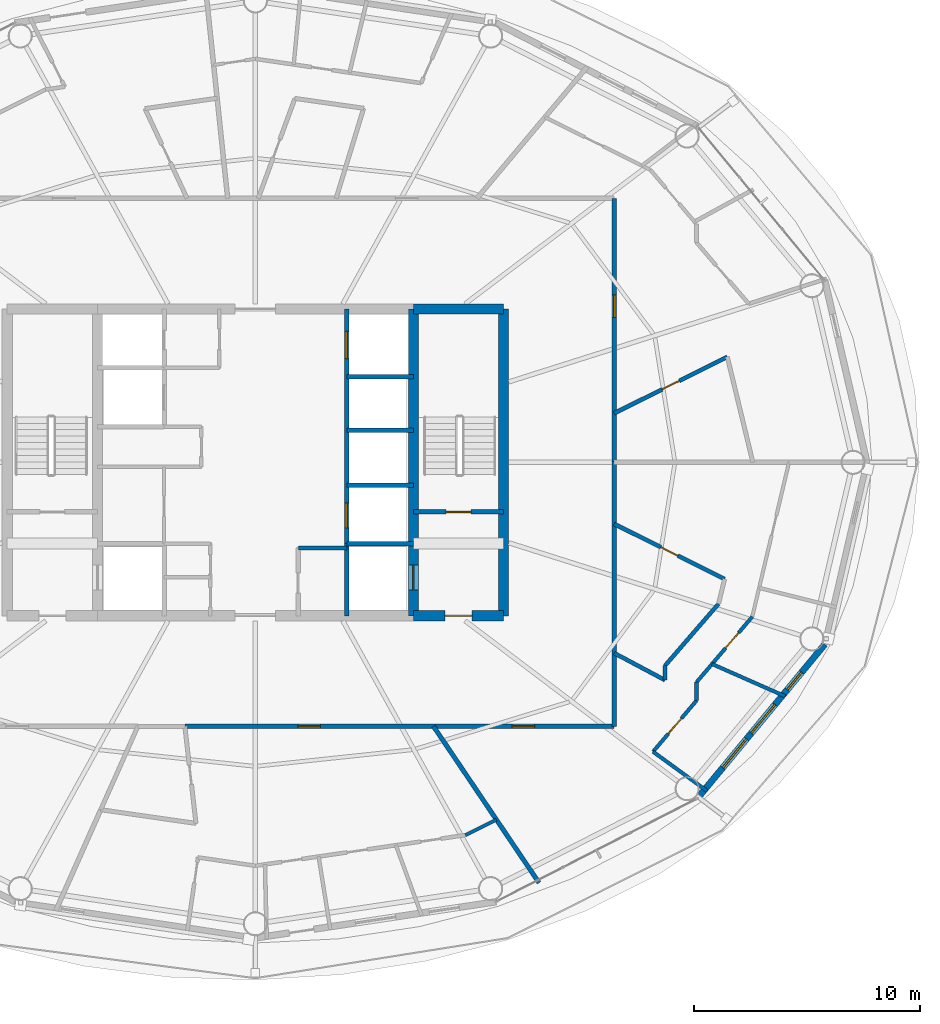
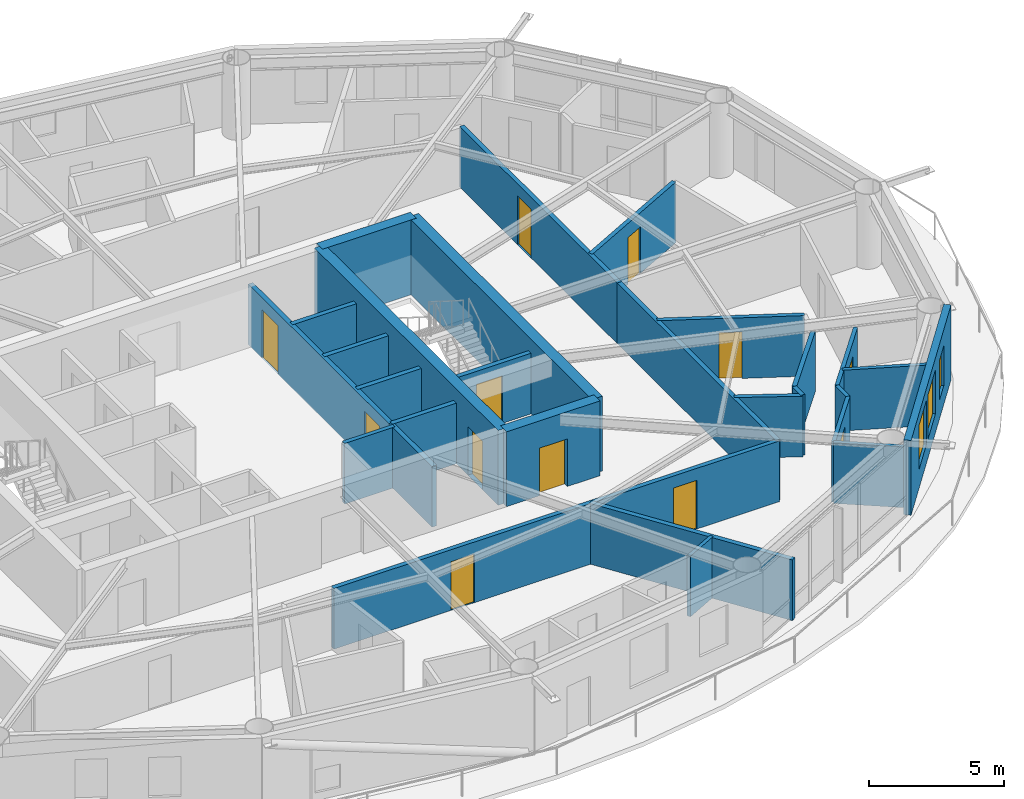
# One storey, part 22 of 28: 28 walls, 12 doors, 3 windows, 15 openings.
"""IFC4 building model written with IfcOpenShell, lengths in metres."""

from ifc_helpers import new_model, si_unit, direction, frame, frame_2d, origin, place, context, subcontext, project, spatial, rectangle, extrude, material, layer, layer_set, type_object, element, fill, save


model = new_model("IFC4")

# Units and contexts
model_context = context("Model", 3, precision=1e-05, world=origin(), true_north=direction((0.0, 1.0)))
body_context = subcontext(model_context, "Body", "Model", "MODEL_VIEW")
ifc_project = project(units=[si_unit("LENGTHUNIT", "METRE"), si_unit("AREAUNIT", "SQUARE_METRE"), si_unit("VOLUMEUNIT", "CUBIC_METRE"), si_unit("PLANEANGLEUNIT", "RADIAN"), si_unit("MASSUNIT", "GRAM", prefix="KILO")], contexts=[model_context])

# Site, building, storey
site_placement = place(None, origin())
site = spatial("IfcSite", under=ifc_project, at=site_placement, CompositionType="ELEMENT")
building_placement = place(site_placement, origin())
building = spatial("IfcBuilding", under=site, at=building_placement, Name="Sarneth Arch Tower", CompositionType="ELEMENT")
storey_placement = place(building_placement, frame((0.0, 0.0, 172.199951171875)))
storey = spatial("IfcBuildingStorey", under=building, at=storey_placement, Name="L43", CompositionType="ELEMENT", Elevation=172.199951171875)

# Wall, opening, door
ifc_material_1 = material(Name="Concrete C50/60", Category="concrete")
ifc_layer_1 = layer(ifc_material_1, 0.449951171875)
ifc_layer_set_1 = layer_set([ifc_layer_1], Name="Concrete C50/60")
wall_type_1 = type_object("IfcWallType", Name="WALL-CORE-450", PredefinedType="SHEAR", material=ifc_layer_set_1)
wall_1_placement = place(storey_placement, frame((55.0, 35.199951171875, 0.0), z_axis=(0.0, 0.0, 1.0), x_axis=(1.0, 0.0, 0.0)))
wall_1 = element("IfcWall", 1, at=wall_1_placement, inside=storey, type_object=wall_type_1, Name="L43 Core shear wall S-E", PredefinedType="SHEAR", context=body_context, shape_type="SweptSolid", body=[
    extrude(rectangle(XDim=4.0, YDim=0.449951171875, at=frame_2d((2.0, 0.0))), origin(), (0.0, 0.0, 1.0), 3.380126953125),
])
opening_1_placement = place(wall_1_placement, frame((1.39990234375, 0.0, 0.0)))
opening_1 = element("IfcOpeningElement", 2, at=opening_1_placement, cuts=wall_1, Name="Opening FD-02", PredefinedType="OPENING", context=body_context, shape_type="SweptSolid", body=[
    extrude(rectangle(XDim=1.199951171875, YDim=2.14990234375, at=frame_2d((0.60009765625, 1.074951171875))), frame((0.0, 0.23486328125, 0.0), z_axis=(0.0, -1.0, 0.0), x_axis=(1.0, 0.0, 0.0)), (0.0, 0.0, 1.0), 0.469970703125),
])
ifc_material_2 = material(Name="Galvanised Steel S275 fire door set", Category="steel")
door_type_1 = type_object("IfcDoorType", Name="DR-FD90-1200", OperationType="SINGLE_SWING_LEFT", PredefinedType="DOOR", material=ifc_material_2)
door_1_placement = place(opening_1_placement, origin())
door_1 = element("IfcDoor", 3, at=door_1_placement, inside=storey, type_object=door_type_1, Name="L43 Firefighting lobby 2 exit door", OperationType="SINGLE_SWING_RIGHT", OverallHeight=2.14990234375, OverallWidth=1.199951171875, PredefinedType="DOOR", context=body_context, shape_type="SweptSolid", body=[
    extrude(rectangle(XDim=1.199951171875, YDim=2.14990234375, at=frame_2d((0.60009765625, 1.074951171875))), frame((0.0, 0.02490234375, 0.0), z_axis=(0.0, -1.0, 0.0), x_axis=(1.0, 0.0, 0.0)), (0.0, 0.0, 1.0), 0.050048828125),
])
fill(opening_1, door_1)

# Walls
wall_2_placement = place(storey_placement, frame((55.0, 48.800048828125, 0.0), z_axis=(0.0, 0.0, 1.0), x_axis=(1.0, 0.0, 0.0)))
element("IfcWall", 4, at=wall_2_placement, inside=storey, type_object=wall_type_1, Name="L43 Core shear wall N-E", PredefinedType="SHEAR", context=body_context, shape_type="SweptSolid", body=[
    extrude(rectangle(XDim=4.0, YDim=0.449951171875, at=frame_2d((2.0, 0.0))), origin(), (0.0, 0.0, 1.0), 3.380126953125),
])
wall_3_placement = place(storey_placement, frame((59.0, 35.199951171875, 0.0), z_axis=(0.0, 0.0, 1.0), x_axis=(0.0, 1.0, 0.0)))
element("IfcWall", 5, at=wall_3_placement, inside=storey, type_object=wall_type_1, Name="L43 Core shear wall E", PredefinedType="SHEAR", context=body_context, shape_type="SweptSolid", body=[
    extrude(rectangle(XDim=13.60009765625, YDim=0.449951171875, at=frame_2d((6.800048828125, 0.0))), origin(), (0.0, 0.0, 1.0), 3.380126953125),
])

# Wall, opening, door
wall_4_placement = place(storey_placement, frame((55.0, 35.199951171875, 0.0), z_axis=(0.0, 0.0, 1.0), x_axis=(0.0, 1.0, 0.0)))
wall_4 = element("IfcWall", 6, at=wall_4_placement, inside=storey, type_object=wall_type_1, Name="L43 Core shear wall WEB-E", PredefinedType="SHEAR", context=body_context, shape_type="SweptSolid", body=[
    extrude(rectangle(XDim=13.60009765625, YDim=0.449951171875, at=frame_2d((6.800048828125, 0.0))), origin(), (0.0, 0.0, 1.0), 3.380126953125),
])
opening_2_placement = place(wall_4_placement, frame((1.14990234375, 0.0, 0.0)))
opening_2 = element("IfcOpeningElement", 7, at=opening_2_placement, cuts=wall_4, Name="Opening LD-1", PredefinedType="OPENING", context=body_context, shape_type="SweptSolid", body=[
    extrude(rectangle(XDim=1.10009765625, YDim=2.199951171875, at=frame_2d((0.550048828125, 1.10009765625))), frame((0.0, 0.23486328125, 0.0), z_axis=(0.0, -1.0, 0.0), x_axis=(1.0, 0.0, 0.0)), (0.0, 0.0, 1.0), 0.469970703125),
])
ifc_material_3 = material(Name="Brushed Stainless Steel 304 lift landing door", Category="steel")
door_type_2 = type_object("IfcDoorType", Name="DR-LIFT-SLIDE-1100", OperationType="SLIDING_TO_LEFT", PredefinedType="DOOR", material=ifc_material_3)
door_2_placement = place(opening_2_placement, origin())
door_2 = element("IfcDoor", 8, at=door_2_placement, inside=storey, type_object=door_type_2, Name="L43 Firefighting lift landing door FL-2", OperationType="SLIDING_TO_RIGHT", OverallHeight=2.199951171875, OverallWidth=1.10009765625, PredefinedType="DOOR", context=body_context, shape_type="SweptSolid", body=[
    extrude(rectangle(XDim=1.10009765625, YDim=2.199951171875, at=frame_2d((0.550048828125, 1.10009765625))), frame((0.0, 0.02490234375, 0.0), z_axis=(0.0, -1.0, 0.0), x_axis=(1.0, 0.0, 0.0)), (0.0, 0.0, 1.0), 0.050048828125),
])
fill(opening_2, door_2)

# Wall, openings, doors
ifc_material_4 = material(Name="Double steel-stud corridor fire wall", Category="steel")
ifc_layer_2 = layer(ifc_material_4, 0.18994140625)
ifc_layer_set_2 = layer_set([ifc_layer_2], Name="Double steel-stud corridor fire wall")
wall_type_2 = type_object("IfcWallType", Name="WALL-CORR-190", PredefinedType="PARTITIONING", material=ifc_layer_set_2)
wall_5_placement = place(storey_placement, frame((44.872802734375, 30.300048828125, 0.0), z_axis=(0.0, 0.0, 1.0), x_axis=(1.0, 0.0, 0.0)))
wall_5 = element("IfcWall", 9, at=wall_5_placement, inside=storey, type_object=wall_type_2, Name="L43 Interior partition W-L43-TP-015", PredefinedType="PARTITIONING", context=body_context, shape_type="SweptSolid", body=[
    extrude(rectangle(XDim=19.027099609375, YDim=0.18994140625, at=frame_2d((9.513671875, 0.0))), origin(), (0.0, 0.0, 1.0), 2.739990234375),
])
opening_3_placement = place(wall_5_placement, frame((5.009521484375, 0.0, 0.0)))
opening_3 = element("IfcOpeningElement", 10, at=opening_3_placement, cuts=wall_5, Name="Opening FD-08", PredefinedType="OPENING", context=body_context, shape_type="SweptSolid", body=[
    extrude(rectangle(XDim=1.0, YDim=2.199951171875, at=frame_2d((0.5, 1.10009765625))), frame((0.0, 0.10498046875, 0.0), z_axis=(0.0, -1.0, 0.0), x_axis=(1.0, 0.0, 0.0)), (0.0, 0.0, 1.0), 0.2099609375),
])
opening_4_placement = place(wall_5_placement, frame((14.503662109375, 0.0, 0.0)))
opening_4 = element("IfcOpeningElement", 11, at=opening_4_placement, cuts=wall_5, Name="Opening FD-08", PredefinedType="OPENING", context=body_context, shape_type="SweptSolid", body=[
    extrude(rectangle(XDim=1.0, YDim=2.199951171875, at=frame_2d((0.5, 1.10009765625))), frame((0.0, 0.10498046875, 0.0), z_axis=(0.0, -1.0, 0.0), x_axis=(1.0, 0.0, 0.0)), (0.0, 0.0, 1.0), 0.2099609375),
])
ifc_material_5 = material(Name="Hardwood timber acoustic fire door", Category="wood")
door_type_3 = type_object("IfcDoorType", Name="DR-FD60-1000", OperationType="SINGLE_SWING_LEFT", PredefinedType="DOOR", material=ifc_material_5)
door_3_placement = place(opening_3_placement, origin())
door_3 = element("IfcDoor", 12, at=door_3_placement, inside=storey, type_object=door_type_3, Name="L43 Interior door DR-L43-U6-ENT", OperationType="SINGLE_SWING_LEFT", OverallHeight=2.199951171875, OverallWidth=1.0, PredefinedType="DOOR", context=body_context, shape_type="SweptSolid", body=[
    extrude(rectangle(XDim=1.0, YDim=2.199951171875, at=frame_2d((0.5, 1.10009765625))), frame((0.0, 0.02490234375, 0.0), z_axis=(0.0, -1.0, 0.0), x_axis=(1.0, 0.0, 0.0)), (0.0, 0.0, 1.0), 0.050048828125),
])
fill(opening_3, door_3)
door_4_placement = place(opening_4_placement, origin())
door_4 = element("IfcDoor", 13, at=door_4_placement, inside=storey, type_object=door_type_3, Name="L43 Interior door DR-L43-U7-ENT", OperationType="SINGLE_SWING_LEFT", OverallHeight=2.199951171875, OverallWidth=1.0, PredefinedType="DOOR", context=body_context, shape_type="SweptSolid", body=[
    extrude(rectangle(XDim=1.0, YDim=2.199951171875, at=frame_2d((0.5, 1.10009765625))), frame((0.0, 0.02490234375, 0.0), z_axis=(0.0, -1.0, 0.0), x_axis=(1.0, 0.0, 0.0)), (0.0, 0.0, 1.0), 0.050048828125),
])
fill(opening_4, door_4)

# Wall, opening, door
wall_6_placement = place(storey_placement, frame((63.89990234375, 53.699951171875, 0.0), z_axis=(0.0, 0.0, 1.0), x_axis=(0.0, -1.0, 0.0)))
wall_6 = element("IfcWall", 14, at=wall_6_placement, inside=storey, type_object=wall_type_2, Name="L43 Interior partition W-L43-TP-002", PredefinedType="PARTITIONING", context=body_context, shape_type="SweptSolid", body=[
    extrude(rectangle(XDim=11.73193359375, YDim=0.18994140625, at=frame_2d((5.865966796875, 0.0))), origin(), (0.0, 0.0, 1.0), 2.739990234375),
])
opening_5_placement = place(wall_6_placement, frame((4.280517578125, 0.0, 0.0)))
opening_5 = element("IfcOpeningElement", 15, at=opening_5_placement, cuts=wall_6, Name="Opening FD-08", PredefinedType="OPENING", context=body_context, shape_type="SweptSolid", body=[
    extrude(rectangle(XDim=1.0, YDim=2.199951171875, at=frame_2d((0.5, 1.10009765625))), frame((0.0, 0.10498046875, 0.0), z_axis=(0.0, -1.0, 0.0), x_axis=(1.0, 0.0, 0.0)), (0.0, 0.0, 1.0), 0.2099609375),
])
door_5_placement = place(opening_5_placement, origin())
door_5 = element("IfcDoor", 16, at=door_5_placement, inside=storey, type_object=door_type_3, Name="L43 Interior door DR-L43-U1-ENT", OperationType="SINGLE_SWING_LEFT", OverallHeight=2.199951171875, OverallWidth=1.0, PredefinedType="DOOR", context=body_context, shape_type="SweptSolid", body=[
    extrude(rectangle(XDim=1.0, YDim=2.199951171875, at=frame_2d((0.5, 1.10009765625))), frame((0.0, 0.02490234375, 0.0), z_axis=(0.0, -1.0, 0.0), x_axis=(1.0, 0.0, 0.0)), (0.0, 0.0, 1.0), 0.050048828125),
])
fill(opening_5, door_5)

# Wall
wall_7_placement = place(storey_placement, frame((63.89990234375, 42.031982421875, 0.0), z_axis=(0.0, 0.0, 1.0), x_axis=(0.0, -1.0, 0.0)))
element("IfcWall", 17, at=wall_7_placement, inside=storey, type_object=wall_type_2, Name="L43 Interior partition W-L43-TP-020", PredefinedType="PARTITIONING", context=body_context, shape_type="SweptSolid", body=[
    extrude(rectangle(XDim=11.73193359375, YDim=0.18994140625, at=frame_2d((5.865966796875, 0.0))), origin(), (0.0, 0.0, 1.0), 2.739990234375),
])

# Wall, openings, windows
ifc_material_6 = material(Name="Extruded terracotta rainscreen on Concrete C40/50 backing", Category="masonry")
ifc_layer_3 = layer(ifc_material_6, 0.280029296875)
ifc_layer_set_3 = layer_set([ifc_layer_3], Name="Extruded terracotta rainscreen on Concrete C40/50 backing")
wall_type_3 = type_object("IfcWallType", Name="WALL-EXT-TERRA-280", PredefinedType="SOLIDWALL", material=ifc_layer_set_3)
wall_8_placement = place(storey_placement, frame((67.576171875, 27.09423828125, 0.0), z_axis=(0.0, 0.0, 1.0), x_axis=(0.637333477683, 0.770588111915, 0.0)))
wall_8 = element("IfcWall", 18, at=wall_8_placement, inside=storey, type_object=wall_type_3, Name="L43 Terracotta perimeter wall 15", PredefinedType="SOLIDWALL", context=body_context, shape_type="SweptSolid", body=[
    extrude(rectangle(XDim=8.874755859375, YDim=0.280029296875, at=frame_2d((4.4375, 0.0))), origin(), (0.0, 0.0, 1.0), 3.380126953125),
])
opening_6_placement = place(wall_8_placement, frame((1.784912109375, 0.0, 0.85009765625)))
opening_6 = element("IfcOpeningElement", 19, at=opening_6_placement, cuts=wall_8, Name="Opening W-05", PredefinedType="OPENING", context=body_context, shape_type="SweptSolid", body=[
    extrude(rectangle(XDim=1.64990234375, YDim=2.0, at=frame_2d((0.824951171875, 1.0))), frame((0.0, 0.14990234375, 0.0), z_axis=(0.0, -1.0, 0.0), x_axis=(1.0, 0.0, 0.0)), (0.0, 0.0, 1.0), 0.300048828125),
])
opening_7_placement = place(wall_8_placement, frame((3.758544921875, 0.0, 0.85009765625)))
opening_7 = element("IfcOpeningElement", 20, at=opening_7_placement, cuts=wall_8, Name="Opening W-05", PredefinedType="OPENING", context=body_context, shape_type="SweptSolid", body=[
    extrude(rectangle(XDim=1.64990234375, YDim=2.0, at=frame_2d((0.824951171875, 1.0))), frame((0.0, 0.14990234375, 0.0), z_axis=(0.0, -1.0, 0.0), x_axis=(1.0, 0.0, 0.0)), (0.0, 0.0, 1.0), 0.300048828125),
])
opening_8_placement = place(wall_8_placement, frame((6.2646484375, 0.0, 0.85009765625)))
opening_8 = element("IfcOpeningElement", 21, at=opening_8_placement, cuts=wall_8, Name="Opening W-11", PredefinedType="OPENING", context=body_context, shape_type="SweptSolid", body=[
    extrude(rectangle(XDim=1.0, YDim=1.800048828125, at=frame_2d((0.5, 0.89990234375))), frame((0.0, 0.14990234375, 0.0), z_axis=(0.0, -1.0, 0.0), x_axis=(1.0, 0.0, 0.0)), (0.0, 0.0, 1.0), 0.300048828125),
])
ifc_material_7 = material(Name="Thermally broken Aluminium 6063-T6 and low-e laminated IGU", Category="aluminium")
window_type_1 = type_object("IfcWindowType", Name="WIN-TWR-1000x1800", PartitioningType="SINGLE_PANEL", PredefinedType="WINDOW", material=ifc_material_7)
window_1_placement = place(opening_8_placement, origin())
window_1 = element("IfcWindow", 22, at=window_1_placement, inside=storey, type_object=window_type_1, Name="L43 Exterior window 15C", OverallHeight=1.800048828125, OverallWidth=1.0, PartitioningType="SINGLE_PANEL", PredefinedType="WINDOW", context=body_context, shape_type="SweptSolid", body=[
    extrude(rectangle(XDim=1.0, YDim=1.800048828125, at=frame_2d((0.5, 0.89990234375))), frame((0.0, 0.030029296875, 0.0), z_axis=(0.0, -1.0, 0.0), x_axis=(1.0, 0.0, 0.0)), (0.0, 0.0, 1.0), 0.06005859375),
])
fill(opening_8, window_1)
ifc_material_8 = material(Name="Thermally broken Aluminium 6063-T6 and low-e laminated IGU", Category="aluminium")
window_type_2 = type_object("IfcWindowType", Name="WIN-TWR-1650x2000", PartitioningType="DOUBLE_PANEL_VERTICAL", PredefinedType="WINDOW", material=ifc_material_8)
window_2_placement = place(opening_6_placement, origin())
window_2 = element("IfcWindow", 23, at=window_2_placement, inside=storey, type_object=window_type_2, Name="L43 Exterior window 15A", OverallHeight=2.0, OverallWidth=1.64990234375, PartitioningType="SINGLE_PANEL", PredefinedType="WINDOW", context=body_context, shape_type="SweptSolid", body=[
    extrude(rectangle(XDim=1.64990234375, YDim=2.0, at=frame_2d((0.824951171875, 1.0))), frame((0.0, 0.030029296875, 0.0), z_axis=(0.0, -1.0, 0.0), x_axis=(1.0, 0.0, 0.0)), (0.0, 0.0, 1.0), 0.06005859375),
])
fill(opening_6, window_2)
window_3_placement = place(opening_7_placement, origin())
window_3 = element("IfcWindow", 24, at=window_3_placement, inside=storey, type_object=window_type_2, Name="L43 Exterior window 15B", OverallHeight=2.0, OverallWidth=1.64990234375, PartitioningType="SINGLE_PANEL", PredefinedType="WINDOW", context=body_context, shape_type="SweptSolid", body=[
    extrude(rectangle(XDim=1.64990234375, YDim=2.0, at=frame_2d((0.824951171875, 1.0))), frame((0.0, 0.030029296875, 0.0), z_axis=(0.0, -1.0, 0.0), x_axis=(1.0, 0.0, 0.0)), (0.0, 0.0, 1.0), 0.06005859375),
])
fill(opening_7, window_3)

# Walls
ifc_material_9 = material(Name="Acoustic gypsum stud partition", Category="gypsum")
ifc_layer_4 = layer(ifc_material_9, 0.14990234375)
ifc_layer_set_4 = layer_set([ifc_layer_4], Name="Acoustic gypsum stud partition")
wall_type_4 = type_object("IfcWallType", Name="WALL-PART-150", PredefinedType="PARTITIONING", material=ifc_layer_set_4)
wall_9_placement = place(storey_placement, frame((57.30517578125, 25.48095703125, 0.0), z_axis=(0.0, 0.0, 1.0), x_axis=(0.89499854631, 0.446069055308, 0.0)))
element("IfcWall", 25, at=wall_9_placement, inside=storey, type_object=wall_type_4, Name="L43 Interior partition W-L43-TP-093", PredefinedType="PARTITIONING", context=body_context, shape_type="SweptSolid", body=[
    extrude(rectangle(XDim=1.536376953125, YDim=0.14990234375, at=frame_2d((0.76806640625, 0.0))), origin(), (0.0, 0.0, 1.0), 2.739990234375),
])
ifc_material_10 = material(Name="Kitchen wet service chase wall", Category="gypsum")
ifc_layer_5 = layer(ifc_material_10, 0.159912109375)
ifc_layer_set_5 = layer_set([ifc_layer_5], Name="Kitchen wet service chase wall")
wall_type_5 = type_object("IfcWallType", Name="WALL-PLUMB-160", PredefinedType="PLUMBINGWALL", material=ifc_layer_set_5)
wall_10_placement = place(storey_placement, frame((71.477783203125, 31.63037109375, 0.0), z_axis=(0.0, 0.0, 1.0), x_axis=(-0.914752340799, 0.40401504304, 0.0)))
element("IfcWall", 26, at=wall_10_placement, inside=storey, type_object=wall_type_5, Name="L43 Interior partition W-L43-TP-111", PredefinedType="PLUMBINGWALL", context=body_context, shape_type="SweptSolid", body=[
    extrude(rectangle(XDim=3.54345703125, YDim=0.159912109375, at=frame_2d((1.771728515625, 0.0))), origin(), (0.0, 0.0, 1.0), 2.739990234375),
])

# Wall, opening, door
wall_11_placement = place(storey_placement, frame((67.550048828125, 31.443359375, 0.0), z_axis=(0.0, 0.0, 1.0), x_axis=(-0.647915118337, -0.761712543832, 0.0)))
wall_11 = element("IfcWall", 27, at=wall_11_placement, inside=storey, type_object=wall_type_5, Name="L43 Interior partition W-L43-TP-101", PredefinedType="PLUMBINGWALL", context=body_context, shape_type="SweptSolid", body=[
    extrude(rectangle(XDim=2.9755859375, YDim=0.159912109375, at=frame_2d((1.48779296875, 0.0))), origin(), (0.0, 0.0, 1.0), 2.739990234375),
])
opening_9_placement = place(wall_11_placement, frame((1.037841796875, 0.0, 0.0)))
opening_9 = element("IfcOpeningElement", 28, at=opening_9_placement, cuts=wall_11, Name="Opening ID-01", PredefinedType="OPENING", context=body_context, shape_type="SweptSolid", body=[
    extrude(rectangle(XDim=0.89990234375, YDim=2.10009765625, at=frame_2d((0.449951171875, 1.050048828125))), frame((0.0, 0.08984375, 0.0), z_axis=(0.0, -1.0, 0.0), x_axis=(1.0, 0.0, 0.0)), (0.0, 0.0, 1.0), 0.179931640625),
])
ifc_material_11 = material(Name="Engineered hardwood flush door", Category="wood")
door_type_4 = type_object("IfcDoorType", Name="DR-INT-900", OperationType="SINGLE_SWING_LEFT", PredefinedType="DOOR", material=ifc_material_11)
door_6_placement = place(opening_9_placement, origin())
door_6 = element("IfcDoor", 29, at=door_6_placement, inside=storey, type_object=door_type_4, Name="L43 Interior door DR-L43-U7-KIT", OperationType="SINGLE_SWING_LEFT", OverallHeight=2.10009765625, OverallWidth=0.89990234375, PredefinedType="DOOR", context=body_context, shape_type="SweptSolid", body=[
    extrude(rectangle(XDim=0.89990234375, YDim=2.10009765625, at=frame_2d((0.449951171875, 1.050048828125))), frame((0.0, 0.02490234375, 0.0), z_axis=(0.0, -1.0, 0.0), x_axis=(1.0, 0.0, 0.0)), (0.0, 0.0, 1.0), 0.050048828125),
])
fill(opening_9, door_6)

# Wall
wall_12_placement = place(storey_placement, frame((65.6220703125, 29.1767578125, 0.0), z_axis=(0.0, 0.0, 1.0), x_axis=(0.808600464561, -0.588358129638, 0.0)))
element("IfcWall", 30, at=wall_12_placement, inside=storey, type_object=wall_type_5, Name="L43 Interior partition W-L43-TP-102", PredefinedType="PLUMBINGWALL", context=body_context, shape_type="SweptSolid", body=[
    extrude(rectangle(XDim=2.95849609375, YDim=0.159912109375, at=frame_2d((1.479248046875, 0.0))), origin(), (0.0, 0.0, 1.0), 2.739990234375),
])

# Wall, opening, door
wall_13_placement = place(storey_placement, frame((67.550048828125, 32.255615234375, 0.0), z_axis=(0.0, 0.0, 1.0), x_axis=(0.648059335437, 0.761589848773, 0.0)))
wall_13 = element("IfcWall", 31, at=wall_13_placement, inside=storey, type_object=wall_type_5, Name="L43 Interior partition W-L43-TP-108", PredefinedType="PLUMBINGWALL", context=body_context, shape_type="SweptSolid", body=[
    extrude(rectangle(XDim=3.810546875, YDim=0.159912109375, at=frame_2d((1.9052734375, 0.0))), origin(), (0.0, 0.0, 1.0), 2.739990234375),
])
opening_10_placement = place(wall_13_placement, frame((1.98486328125, 0.0, 0.0)))
opening_10 = element("IfcOpeningElement", 32, at=opening_10_placement, cuts=wall_13, Name="Opening ID-01", PredefinedType="OPENING", context=body_context, shape_type="SweptSolid", body=[
    extrude(rectangle(XDim=0.89990234375, YDim=2.10009765625, at=frame_2d((0.449951171875, 1.050048828125))), frame((0.0, 0.08984375, 0.0), z_axis=(0.0, -1.0, 0.0), x_axis=(1.0, 0.0, 0.0)), (0.0, 0.0, 1.0), 0.179931640625),
])
door_7_placement = place(opening_10_placement, origin())
door_7 = element("IfcDoor", 33, at=door_7_placement, inside=storey, type_object=door_type_4, Name="L43 Interior door DR-L43-U7-BED1", OperationType="SINGLE_SWING_RIGHT", OverallHeight=2.10009765625, OverallWidth=0.89990234375, PredefinedType="DOOR", context=body_context, shape_type="SweptSolid", body=[
    extrude(rectangle(XDim=0.89990234375, YDim=2.10009765625, at=frame_2d((0.449951171875, 1.050048828125))), frame((0.0, 0.02490234375, 0.0), z_axis=(0.0, -1.0, 0.0), x_axis=(1.0, 0.0, 0.0)), (0.0, 0.0, 1.0), 0.050048828125),
])
fill(opening_10, door_7)

# Walls
wall_14_placement = place(storey_placement, frame((67.550048828125, 32.255615234375, 0.0), z_axis=(0.0, 0.0, 1.0), x_axis=(0.0, -1.0, 0.0)))
element("IfcWall", 34, at=wall_14_placement, inside=storey, type_object=wall_type_5, Name="L43 Interior partition W-L43-TP-100", PredefinedType="PLUMBINGWALL", context=body_context, shape_type="SweptSolid", body=[
    extrude(rectangle(XDim=0.812255859375, YDim=0.159912109375, at=frame_2d((0.40625, 0.0))), origin(), (0.0, 0.0, 1.0), 2.739990234375),
])
ifc_material_12 = material(Name="Moisture-resistant plumbing chase wall", Category="gypsum")
ifc_layer_6 = layer(ifc_material_12, 0.179931640625)
ifc_layer_set_6 = layer_set([ifc_layer_6], Name="Moisture-resistant plumbing chase wall")
wall_type_6 = type_object("IfcWallType", Name="WALL-PLUMB-180", PredefinedType="PLUMBINGWALL", material=ifc_layer_set_6)
wall_15_placement = place(storey_placement, frame((49.89990234375, 38.199951171875, 0.0), z_axis=(0.0, 0.0, 1.0), x_axis=(1.0, 0.0, 0.0)))
element("IfcWall", 35, at=wall_15_placement, inside=storey, type_object=wall_type_6, Name="L43 Interior partition W-L43-AWC-N", PredefinedType="PLUMBINGWALL", context=body_context, shape_type="SweptSolid", body=[
    extrude(rectangle(XDim=2.150146484375, YDim=0.179931640625, at=frame_2d((1.0751953125, 0.0))), origin(), (0.0, 0.0, 1.0), 2.739990234375),
])

# Wall, opening, door
wall_16_placement = place(storey_placement, frame((63.89990234375, 44.174560546875, 0.0), z_axis=(0.0, 0.0, 1.0), x_axis=(0.894853920946, 0.446359115699, 0.0)))
wall_16 = element("IfcWall", 36, at=wall_16_placement, inside=storey, type_object=wall_type_6, Name="L43 Interior partition W-L43-TP-025", PredefinedType="PLUMBINGWALL", context=body_context, shape_type="SweptSolid", body=[
    extrude(rectangle(XDim=5.601318359375, YDim=0.179931640625, at=frame_2d((2.80078125, 0.0))), origin(), (0.0, 0.0, 1.0), 2.739990234375),
])
opening_11_placement = place(wall_16_placement, frame((2.37548828125, 0.0, 0.0)))
opening_11 = element("IfcOpeningElement", 37, at=opening_11_placement, cuts=wall_16, Name="Opening ID-02", PredefinedType="OPENING", context=body_context, shape_type="SweptSolid", body=[
    extrude(rectangle(XDim=0.85009765625, YDim=2.10009765625, at=frame_2d((0.425048828125, 1.050048828125))), frame((0.0, 0.099853515625, 0.0), z_axis=(0.0, -1.0, 0.0), x_axis=(1.0, 0.0, 0.0)), (0.0, 0.0, 1.0), 0.199951171875),
])
ifc_material_13 = material(Name="Moisture-resistant bathroom timber door", Category="wood")
door_type_5 = type_object("IfcDoorType", Name="DR-INT-850", OperationType="SINGLE_SWING_RIGHT", PredefinedType="DOOR", material=ifc_material_13)
door_8_placement = place(opening_11_placement, origin())
door_8 = element("IfcDoor", 38, at=door_8_placement, inside=storey, type_object=door_type_5, Name="L43 Interior door DR-L43-U1-BATH", OperationType="SINGLE_SWING_LEFT", OverallHeight=2.10009765625, OverallWidth=0.85009765625, PredefinedType="DOOR", context=body_context, shape_type="SweptSolid", body=[
    extrude(rectangle(XDim=0.85009765625, YDim=2.10009765625, at=frame_2d((0.425048828125, 1.050048828125))), frame((0.0, 0.02490234375, 0.0), z_axis=(0.0, -1.0, 0.0), x_axis=(1.0, 0.0, 0.0)), (0.0, 0.0, 1.0), 0.050048828125),
])
fill(opening_11, door_8)

wall_17_placement = place(storey_placement, frame((68.7919921875, 36.828369140625, 0.0), z_axis=(0.0, 0.0, 1.0), x_axis=(-0.894873333185, 0.44632019622, 0.0)))
wall_17 = element("IfcWall", 39, at=wall_17_placement, inside=storey, type_object=wall_type_6, Name="L43 Interior partition W-L43-TP-107", PredefinedType="PLUMBINGWALL", context=body_context, shape_type="SweptSolid", body=[
    extrude(rectangle(XDim=5.466796875, YDim=0.179931640625, at=frame_2d((2.7333984375, 0.0))), origin(), (0.0, 0.0, 1.0), 2.739990234375),
])
opening_12_placement = place(wall_17_placement, frame((2.308349609375, 0.0, 0.0)))
opening_12 = element("IfcOpeningElement", 40, at=opening_12_placement, cuts=wall_17, Name="Opening ID-02", PredefinedType="OPENING", context=body_context, shape_type="SweptSolid", body=[
    extrude(rectangle(XDim=0.85009765625, YDim=2.10009765625, at=frame_2d((0.425048828125, 1.050048828125))), frame((0.0, 0.099853515625, 0.0), z_axis=(0.0, -1.0, 0.0), x_axis=(1.0, 0.0, 0.0)), (0.0, 0.0, 1.0), 0.199951171875),
])
door_9_placement = place(opening_12_placement, origin())
door_9 = element("IfcDoor", 41, at=door_9_placement, inside=storey, type_object=door_type_5, Name="L43 Interior door DR-L43-U7-BATH", OperationType="SINGLE_SWING_LEFT", OverallHeight=2.10009765625, OverallWidth=0.85009765625, PredefinedType="DOOR", context=body_context, shape_type="SweptSolid", body=[
    extrude(rectangle(XDim=0.85009765625, YDim=2.10009765625, at=frame_2d((0.425048828125, 1.050048828125))), frame((0.0, 0.02490234375, 0.0), z_axis=(0.0, -1.0, 0.0), x_axis=(1.0, 0.0, 0.0)), (0.0, 0.0, 1.0), 0.050048828125),
])
fill(opening_12, door_9)

# Walls
wall_18_placement = place(storey_placement, frame((66.14990234375, 32.9873046875, 0.0), z_axis=(0.0, 0.0, 1.0), x_axis=(0.654577130551, 0.755995224958, 0.0)))
element("IfcWall", 42, at=wall_18_placement, inside=storey, type_object=wall_type_6, Name="L43 Interior partition W-L43-TP-105", PredefinedType="PLUMBINGWALL", context=body_context, shape_type="SweptSolid", body=[
    extrude(rectangle(XDim=3.630126953125, YDim=0.179931640625, at=frame_2d((1.81494140625, 0.0))), origin(), (0.0, 0.0, 1.0), 2.739990234375),
])
wall_19_placement = place(storey_placement, frame((63.89990234375, 33.5458984375, 0.0), z_axis=(0.0, 0.0, 1.0), x_axis=(0.882956890564, -0.469454075929, 0.0)))
element("IfcWall", 43, at=wall_19_placement, inside=storey, type_object=wall_type_6, Name="L43 Interior partition W-L43-TP-103", PredefinedType="PLUMBINGWALL", context=body_context, shape_type="SweptSolid", body=[
    extrude(rectangle(XDim=2.54833984375, YDim=0.179931640625, at=frame_2d((1.274169921875, 0.0))), origin(), (0.0, 0.0, 1.0), 2.739990234375),
])
wall_20_placement = place(storey_placement, frame((66.14990234375, 32.349609375, 0.0), z_axis=(0.0, 0.0, 1.0), x_axis=(0.0, 1.0, 0.0)))
element("IfcWall", 44, at=wall_20_placement, inside=storey, type_object=wall_type_6, Name="L43 Interior partition W-L43-TP-104", PredefinedType="PLUMBINGWALL", context=body_context, shape_type="SweptSolid", body=[
    extrude(rectangle(XDim=0.6376953125, YDim=0.179931640625, at=frame_2d((0.31884765625, 0.0))), origin(), (0.0, 0.0, 1.0), 2.739990234375),
])

# Wall, opening, door
ifc_material_14 = material(Name="Aerated concrete blockwork C25/30", Category="masonry")
ifc_layer_7 = layer(ifc_material_14, 0.199951171875)
ifc_layer_set_7 = layer_set([ifc_layer_7], Name="Aerated concrete blockwork C25/30")
wall_type_7 = type_object("IfcWallType", Name="WALL-SHAFT-200", PredefinedType="SOLIDWALL", material=ifc_layer_set_7)
wall_21_placement = place(storey_placement, frame((55.0, 39.800048828125, 0.0), z_axis=(0.0, 0.0, 1.0), x_axis=(1.0, 0.0, 0.0)))
wall_21 = element("IfcWall", 45, at=wall_21_placement, inside=storey, type_object=wall_type_7, Name="L43 Interior partition W-L43-ST2-S", PredefinedType="SOLIDWALL", context=body_context, shape_type="SweptSolid", body=[
    extrude(rectangle(XDim=4.0, YDim=0.199951171875, at=frame_2d((2.0, 0.0))), origin(), (0.0, 0.0, 1.0), 2.739990234375),
])
opening_13_placement = place(wall_21_placement, frame((1.449951171875, 0.0, 0.0)))
opening_13 = element("IfcOpeningElement", 46, at=opening_13_placement, cuts=wall_21, Name="Opening FD-03", PredefinedType="OPENING", context=body_context, shape_type="SweptSolid", body=[
    extrude(rectangle(XDim=1.10009765625, YDim=2.14990234375, at=frame_2d((0.550048828125, 1.074951171875))), frame((0.0, 0.10986328125, 0.0), z_axis=(0.0, -1.0, 0.0), x_axis=(1.0, 0.0, 0.0)), (0.0, 0.0, 1.0), 0.219970703125),
])
ifc_material_15 = material(Name="Galvanised Steel S275 fire door set", Category="steel")
door_type_6 = type_object("IfcDoorType", Name="DR-FD90-1100", OperationType="SINGLE_SWING_LEFT", PredefinedType="DOOR", material=ifc_material_15)
door_10_placement = place(opening_13_placement, origin())
door_10 = element("IfcDoor", 47, at=door_10_placement, inside=storey, type_object=door_type_6, Name="L43 Interior door DR-L43-ST2", OperationType="SINGLE_SWING_RIGHT", OverallHeight=2.14990234375, OverallWidth=1.10009765625, PredefinedType="DOOR", context=body_context, shape_type="SweptSolid", body=[
    extrude(rectangle(XDim=1.10009765625, YDim=2.14990234375, at=frame_2d((0.550048828125, 1.074951171875))), frame((0.0, 0.02490234375, 0.0), z_axis=(0.0, -1.0, 0.0), x_axis=(1.0, 0.0, 0.0)), (0.0, 0.0, 1.0), 0.050048828125),
])
fill(opening_13, door_10)

# Walls
wall_22_placement = place(storey_placement, frame((52.050048828125, 35.199951171875, 0.0), z_axis=(0.0, 0.0, 1.0), x_axis=(0.0, 1.0, 0.0)))
element("IfcWall", 48, at=wall_22_placement, inside=storey, type_object=wall_type_7, Name="L43 Interior partition W-L43-FL2-W", PredefinedType="SOLIDWALL", context=body_context, shape_type="SweptSolid", body=[
    extrude(rectangle(XDim=3.199951171875, YDim=0.199951171875, at=frame_2d((1.60009765625, 0.0))), origin(), (0.0, 0.0, 1.0), 2.739990234375),
])
wall_23_placement = place(storey_placement, frame((52.050048828125, 38.39990234375, 0.0), z_axis=(0.0, 0.0, 1.0), x_axis=(1.0, 0.0, 0.0)))
element("IfcWall", 49, at=wall_23_placement, inside=storey, type_object=wall_type_7, Name="L43 Interior partition W-L43-FL2-N", PredefinedType="SOLIDWALL", context=body_context, shape_type="SweptSolid", body=[
    extrude(rectangle(XDim=2.949951171875, YDim=0.199951171875, at=frame_2d((1.47509765625, 0.0))), origin(), (0.0, 0.0, 1.0), 2.739990234375),
])

# Wall, openings, doors
wall_24_placement = place(storey_placement, frame((52.050048828125, 38.39990234375, 0.0), z_axis=(0.0, 0.0, 1.0), x_axis=(0.0, 1.0, 0.0)))
wall_24 = element("IfcWall", 50, at=wall_24_placement, inside=storey, type_object=wall_type_7, Name="L43 Interior partition W-L43-EASTBANK-FRONT", PredefinedType="SOLIDWALL", context=body_context, shape_type="SweptSolid", body=[
    extrude(rectangle(XDim=10.400146484375, YDim=0.199951171875, at=frame_2d((5.2001953125, 0.0))), origin(), (0.0, 0.0, 1.0), 2.739990234375),
])
opening_14_placement = place(wall_24_placement, frame((0.699951171875, 0.0, 0.0)))
opening_14 = element("IfcOpeningElement", 51, at=opening_14_placement, cuts=wall_24, Name="Opening LD-1", PredefinedType="OPENING", context=body_context, shape_type="SweptSolid", body=[
    extrude(rectangle(XDim=1.10009765625, YDim=2.199951171875, at=frame_2d((0.550048828125, 1.10009765625))), frame((0.0, 0.10986328125, 0.0), z_axis=(0.0, -1.0, 0.0), x_axis=(1.0, 0.0, 0.0)), (0.0, 0.0, 1.0), 0.219970703125),
])
opening_15_placement = place(wall_24_placement, frame((8.199951171875, 0.0, 0.0)))
opening_15 = element("IfcOpeningElement", 52, at=opening_15_placement, cuts=wall_24, Name="Opening LD-2", PredefinedType="OPENING", context=body_context, shape_type="SweptSolid", body=[
    extrude(rectangle(XDim=1.199951171875, YDim=2.199951171875, at=frame_2d((0.60009765625, 1.10009765625))), frame((0.0, 0.10986328125, 0.0), z_axis=(0.0, -1.0, 0.0), x_axis=(1.0, 0.0, 0.0)), (0.0, 0.0, 1.0), 0.219970703125),
])
door_11_placement = place(opening_14_placement, origin())
door_11 = element("IfcDoor", 53, at=door_11_placement, inside=storey, type_object=door_type_2, Name="L43 Lift landing door DR-L43-LD-PM2", OperationType="SLIDING_TO_LEFT", OverallHeight=2.199951171875, OverallWidth=1.10009765625, PredefinedType="DOOR", context=body_context, shape_type="SweptSolid", body=[
    extrude(rectangle(XDim=1.10009765625, YDim=2.199951171875, at=frame_2d((0.550048828125, 1.10009765625))), frame((0.0, 0.02490234375, 0.0), z_axis=(0.0, -1.0, 0.0), x_axis=(1.0, 0.0, 0.0)), (0.0, 0.0, 1.0), 0.050048828125),
])
fill(opening_14, door_11)
ifc_material_16 = material(Name="Brushed Stainless Steel 304 service lift door", Category="steel")
door_type_7 = type_object("IfcDoorType", Name="DR-LIFT-SLIDE-1200", OperationType="SLIDING_TO_RIGHT", PredefinedType="DOOR", material=ifc_material_16)
door_12_placement = place(opening_15_placement, origin())
door_12 = element("IfcDoor", 54, at=door_12_placement, inside=storey, type_object=door_type_7, Name="L43 Lift landing door DR-L43-LD-SL1", OperationType="SLIDING_TO_RIGHT", OverallHeight=2.199951171875, OverallWidth=1.199951171875, PredefinedType="DOOR", context=body_context, shape_type="SweptSolid", body=[
    extrude(rectangle(XDim=1.199951171875, YDim=2.199951171875, at=frame_2d((0.60009765625, 1.10009765625))), frame((0.0, 0.02490234375, 0.0), z_axis=(0.0, -1.0, 0.0), x_axis=(1.0, 0.0, 0.0)), (0.0, 0.0, 1.0), 0.050048828125),
])
fill(opening_15, door_12)

# Walls
for number, where, z_axis, x_axis, name in (
    (55, (52.050048828125, 40.97998046875, 0.0), (0.0, 0.0, 1.0), (1.0, 0.0, 0.0), "L43 Interior partition W-L43-EB-DIV-4098"),
    (56, (52.050048828125, 43.419921875, 0.0), (0.0, 0.0, 1.0), (1.0, 0.0, 0.0), "L43 Interior partition W-L43-EB-DIV-4342"),
    (57, (52.050048828125, 45.800048828125, 0.0), (0.0, 0.0, 1.0), (1.0, 0.0, 0.0), "L43 Interior partition W-L43-EB-DIV-4580"),
):
    element("IfcWall", number, at=place(storey_placement, frame(where, z_axis=z_axis, x_axis=x_axis)), inside=storey, type_object=wall_type_7, Name=name, PredefinedType="SOLIDWALL", context=body_context, shape_type="SweptSolid", body=[
        extrude(rectangle(XDim=2.949951171875, YDim=0.199951171875, at=frame_2d((1.47509765625, 0.0))), origin(), (0.0, 0.0, 1.0), 2.739990234375),
    ])
ifc_material_17 = material(Name="Double steel-stud acoustic drywall", Category="steel")
ifc_layer_8 = layer(ifc_material_17, 0.199951171875)
ifc_layer_set_8 = layer_set([ifc_layer_8], Name="Double steel-stud acoustic drywall")
wall_type_8 = type_object("IfcWallType", Name="WALL-UNIT-200", PredefinedType="PARTITIONING", material=ifc_layer_set_8)
wall_25_placement = place(storey_placement, frame((55.891845703125, 30.300048828125, 0.0), z_axis=(0.0, 0.0, 1.0), x_axis=(0.55918600376, -0.829042226427, 0.0)))
element("IfcWall", 58, at=wall_25_placement, inside=storey, type_object=wall_type_8, Name="L43 Interior partition W-L43-TP-094", PredefinedType="PARTITIONING", context=body_context, shape_type="SweptSolid", body=[
    extrude(rectangle(XDim=8.3623046875, YDim=0.199951171875, at=frame_2d((4.18115234375, 0.0))), origin(), (0.0, 0.0, 1.0), 2.739990234375),
])

save(model, "model.ifc")
